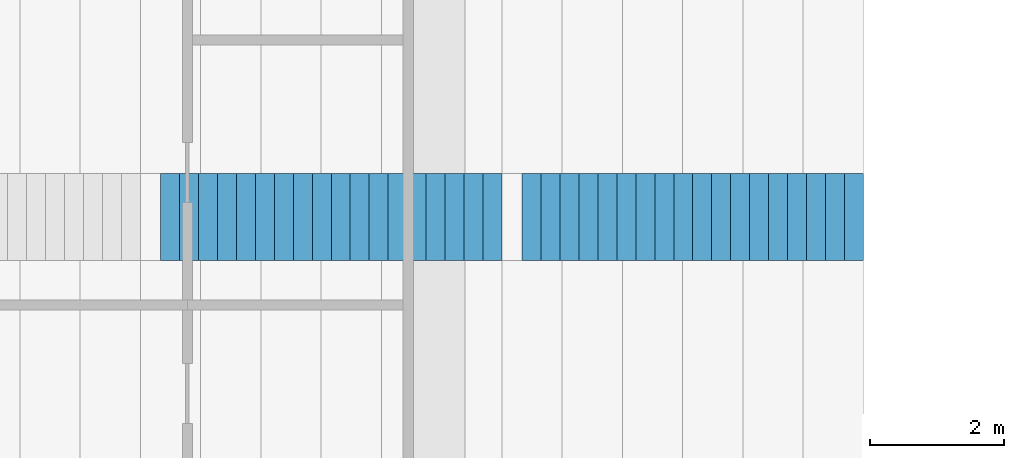
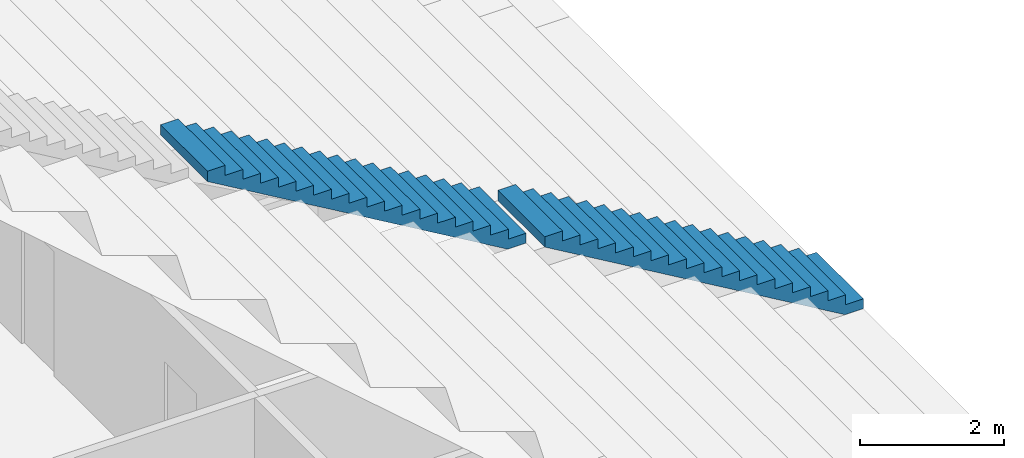
# One storey, part 168 of 249: 2 stair flights, 1 element without a shape of its own.
"""IFC4 building model written with IfcOpenShell, lengths in metres."""

from ifc_helpers import new_model, si_unit, direction, frame, origin, place, context, subcontext, project, spatial, faceted_brep, material, type_object, element, aggregate, save


model = new_model("IFC4")

# Units and contexts
model_context = context("Model", 3, precision=1e-05, world=origin(), true_north=direction((0.0, 1.0)))
body_context = subcontext(model_context, "Body", "Model", "MODEL_VIEW")
ifc_project = project(units=[si_unit("LENGTHUNIT", "METRE"), si_unit("AREAUNIT", "SQUARE_METRE"), si_unit("VOLUMEUNIT", "CUBIC_METRE"), si_unit("PLANEANGLEUNIT", "RADIAN"), si_unit("MASSUNIT", "GRAM", prefix="KILO")], contexts=[model_context])

# Site, building, storey
site_placement = place(None, origin())
site = spatial("IfcSite", under=ifc_project, at=site_placement, CompositionType="ELEMENT")
building_placement = place(site_placement, origin())
building = spatial("IfcBuilding", under=site, at=building_placement, Name="Ogive Plaza Stadium", CompositionType="ELEMENT")
storey_placement = place(building_placement, frame((0.0, 0.0, 13.5)))
storey = spatial("IfcBuildingStorey", under=building, at=storey_placement, Name="L03", CompositionType="ELEMENT", Elevation=13.5)

# Stair, stair flights
ifc_material_1 = material(Name="Concrete C40/50", Category="concrete")
stair_type = type_object("IfcStairType", Name="Aisle stair", PredefinedType="STRAIGHT_RUN_STAIR", material=ifc_material_1)
stair_placement = place(storey_placement, origin())
stair = element("IfcStair", 1, at=stair_placement, inside=storey, type_object=stair_type, Name="Aisle stair SA25U", PredefinedType="STRAIGHT_RUN_STAIR")
ifc_material_2 = material(Name="Concrete C40/50", Category="concrete")
stair_flight_type = type_object("IfcStairFlightType", Name="Aisle stair flight", PredefinedType="STRAIGHT", material=ifc_material_2)
stair_flight_1_placement = place(storey_placement, frame((-55.5, 15.0, 0.5), z_axis=(0.0, 0.0, 1.0), x_axis=(-1.0, 0.0, 0.0)))
stair_flight_1 = element("IfcStairFlight", 2, at=stair_flight_1_placement, type_object=stair_flight_type, Name="SA25U flight 1", NumberOfRisers=18, NumberOfTreads=17, PredefinedType="STRAIGHT", RiserHeight=0.166666667, TreadLength=0.283333333, context=body_context, shape_type="Brep", body=[
    faceted_brep([(0.295654296875, -0.64990234375, 0.0), (5.10009765625, -0.64990234375, 2.826171875), (5.10009765625, -0.64990234375, 3.0), (4.816650390625, -0.64990234375, 3.0), (4.816650390625, -0.64990234375, 2.833251953125), (4.533447265625, -0.64990234375, 2.833251953125), (4.533447265625, -0.64990234375, 2.666748046875), (4.25, -0.64990234375, 2.666748046875), (4.25, -0.64990234375, 2.5), (3.966552734375, -0.64990234375, 2.5), (3.966552734375, -0.64990234375, 2.333251953125), (3.683349609375, -0.64990234375, 2.333251953125), (3.683349609375, -0.64990234375, 2.166748046875), (3.39990234375, -0.64990234375, 2.166748046875), (3.39990234375, -0.64990234375, 2.0), (3.11669921875, -0.64990234375, 2.0), (3.11669921875, -0.64990234375, 1.833251953125), (2.833251953125, -0.64990234375, 1.833251953125), (2.833251953125, -0.64990234375, 1.666748046875), (2.550048828125, -0.64990234375, 1.666748046875), (2.550048828125, -0.64990234375, 1.5), (2.2666015625, -0.64990234375, 1.5), (2.2666015625, -0.64990234375, 1.333251953125), (1.9833984375, -0.64990234375, 1.333251953125), (1.9833984375, -0.64990234375, 1.166748046875), (1.699951171875, -0.64990234375, 1.166748046875), (1.699951171875, -0.64990234375, 1.0), (1.416748046875, -0.64990234375, 1.0), (1.416748046875, -0.64990234375, 0.833251953125), (1.13330078125, -0.64990234375, 0.833251953125), (1.13330078125, -0.64990234375, 0.666748046875), (0.85009765625, -0.64990234375, 0.666748046875), (0.85009765625, -0.64990234375, 0.5), (0.566650390625, -0.64990234375, 0.5), (0.566650390625, -0.64990234375, 0.333251953125), (0.283447265625, -0.64990234375, 0.333251953125), (0.283447265625, -0.64990234375, 0.166748046875), (0.0, -0.64990234375, 0.166748046875), (0.0, -0.64990234375, 0.0), (0.0, 0.64990234375, 0.0), (0.0, 0.64990234375, 0.166748046875), (0.283447265625, 0.64990234375, 0.166748046875), (0.283447265625, 0.64990234375, 0.333251953125), (0.566650390625, 0.64990234375, 0.333251953125), (0.566650390625, 0.64990234375, 0.5), (0.85009765625, 0.64990234375, 0.5), (0.85009765625, 0.64990234375, 0.666748046875), (1.13330078125, 0.64990234375, 0.666748046875), (1.13330078125, 0.64990234375, 0.833251953125), (1.416748046875, 0.64990234375, 0.833251953125), (1.416748046875, 0.64990234375, 1.0), (1.699951171875, 0.64990234375, 1.0), (1.699951171875, 0.64990234375, 1.166748046875), (1.9833984375, 0.64990234375, 1.166748046875), (1.9833984375, 0.64990234375, 1.333251953125), (2.2666015625, 0.64990234375, 1.333251953125), (2.2666015625, 0.64990234375, 1.5), (2.550048828125, 0.64990234375, 1.5), (2.550048828125, 0.64990234375, 1.666748046875), (2.833251953125, 0.64990234375, 1.666748046875), (2.833251953125, 0.64990234375, 1.833251953125), (3.11669921875, 0.64990234375, 1.833251953125), (3.11669921875, 0.64990234375, 2.0), (3.39990234375, 0.64990234375, 2.0), (3.39990234375, 0.64990234375, 2.166748046875), (3.683349609375, 0.64990234375, 2.166748046875), (3.683349609375, 0.64990234375, 2.333251953125), (3.966552734375, 0.64990234375, 2.333251953125), (3.966552734375, 0.64990234375, 2.5), (4.25, 0.64990234375, 2.5), (4.25, 0.64990234375, 2.666748046875), (4.533447265625, 0.64990234375, 2.666748046875), (4.533447265625, 0.64990234375, 2.833251953125), (4.816650390625, 0.64990234375, 2.833251953125), (4.816650390625, 0.64990234375, 3.0), (5.10009765625, 0.64990234375, 3.0), (5.10009765625, 0.64990234375, 2.826171875), (0.295654296875, 0.64990234375, 0.0), (0.295654296875, -0.324951171875, 0.0), (5.10009765625, -0.324951171875, 2.826171875), (0.295654296875, 0.0, 0.0), (5.10009765625, 0.0, 2.826171875), (0.295654296875, 0.324951171875, 0.0), (5.10009765625, 0.324951171875, 2.826171875), (5.10009765625, -0.324951171875, 3.0), (5.10009765625, 0.0, 3.0), (5.10009765625, 0.324951171875, 3.0), (4.816650390625, -0.324951171875, 3.0), (4.816650390625, 0.0, 3.0), (4.816650390625, 0.324951171875, 3.0), (4.816650390625, -0.324951171875, 2.833251953125), (4.816650390625, 0.0, 2.833251953125), (4.816650390625, 0.324951171875, 2.833251953125), (4.533447265625, -0.324951171875, 2.833251953125), (4.533447265625, 0.0, 2.833251953125), (4.533447265625, 0.324951171875, 2.833251953125), (4.533447265625, -0.324951171875, 2.666748046875), (4.533447265625, 0.0, 2.666748046875), (4.533447265625, 0.324951171875, 2.666748046875), (4.25, -0.324951171875, 2.666748046875), (4.25, 0.0, 2.666748046875), (4.25, 0.324951171875, 2.666748046875), (4.25, -0.324951171875, 2.5), (4.25, 0.0, 2.5), (4.25, 0.324951171875, 2.5), (3.966552734375, -0.324951171875, 2.5), (3.966552734375, 0.0, 2.5), (3.966552734375, 0.324951171875, 2.5), (3.966552734375, -0.324951171875, 2.333251953125), (3.966552734375, 0.0, 2.333251953125), (3.966552734375, 0.324951171875, 2.333251953125), (3.683349609375, -0.324951171875, 2.333251953125), (3.683349609375, 0.0, 2.333251953125), (3.683349609375, 0.324951171875, 2.333251953125), (3.683349609375, -0.324951171875, 2.166748046875), (3.683349609375, 0.0, 2.166748046875), (3.683349609375, 0.324951171875, 2.166748046875), (3.39990234375, -0.324951171875, 2.166748046875), (3.39990234375, 0.0, 2.166748046875), (3.39990234375, 0.324951171875, 2.166748046875), (3.39990234375, -0.324951171875, 2.0), (3.39990234375, 0.0, 2.0), (3.39990234375, 0.324951171875, 2.0), (3.11669921875, -0.324951171875, 2.0), (3.11669921875, 0.0, 2.0), (3.11669921875, 0.324951171875, 2.0), (3.11669921875, -0.324951171875, 1.833251953125), (3.11669921875, 0.0, 1.833251953125), (3.11669921875, 0.324951171875, 1.833251953125), (2.833251953125, -0.324951171875, 1.833251953125), (2.833251953125, 0.0, 1.833251953125), (2.833251953125, 0.324951171875, 1.833251953125), (2.833251953125, -0.324951171875, 1.666748046875), (2.833251953125, 0.0, 1.666748046875), (2.833251953125, 0.324951171875, 1.666748046875), (2.550048828125, -0.324951171875, 1.666748046875), (2.550048828125, 0.0, 1.666748046875), (2.550048828125, 0.324951171875, 1.666748046875), (2.550048828125, -0.324951171875, 1.5), (2.550048828125, 0.0, 1.5), (2.550048828125, 0.324951171875, 1.5), (2.2666015625, -0.324951171875, 1.5), (2.2666015625, 0.0, 1.5), (2.2666015625, 0.324951171875, 1.5), (2.2666015625, -0.324951171875, 1.333251953125), (2.2666015625, 0.0, 1.333251953125), (2.2666015625, 0.324951171875, 1.333251953125), (1.9833984375, -0.324951171875, 1.333251953125), (1.9833984375, 0.0, 1.333251953125), (1.9833984375, 0.324951171875, 1.333251953125), (1.9833984375, -0.324951171875, 1.166748046875), (1.9833984375, 0.0, 1.166748046875), (1.9833984375, 0.324951171875, 1.166748046875), (1.699951171875, -0.324951171875, 1.166748046875), (1.699951171875, 0.0, 1.166748046875), (1.699951171875, 0.324951171875, 1.166748046875), (1.699951171875, -0.324951171875, 1.0), (1.699951171875, 0.0, 1.0), (1.699951171875, 0.324951171875, 1.0), (1.416748046875, -0.324951171875, 1.0), (1.416748046875, 0.0, 1.0), (1.416748046875, 0.324951171875, 1.0), (1.416748046875, -0.324951171875, 0.833251953125), (1.416748046875, 0.0, 0.833251953125), (1.416748046875, 0.324951171875, 0.833251953125), (1.13330078125, -0.324951171875, 0.833251953125), (1.13330078125, 0.0, 0.833251953125), (1.13330078125, 0.324951171875, 0.833251953125), (1.13330078125, -0.324951171875, 0.666748046875), (1.13330078125, 0.0, 0.666748046875), (1.13330078125, 0.324951171875, 0.666748046875), (0.85009765625, -0.324951171875, 0.666748046875), (0.85009765625, 0.0, 0.666748046875), (0.85009765625, 0.324951171875, 0.666748046875), (0.85009765625, -0.324951171875, 0.5), (0.85009765625, 0.0, 0.5), (0.85009765625, 0.324951171875, 0.5), (0.566650390625, -0.324951171875, 0.5), (0.566650390625, 0.0, 0.5), (0.566650390625, 0.324951171875, 0.5), (0.566650390625, -0.324951171875, 0.333251953125), (0.566650390625, 0.0, 0.333251953125), (0.566650390625, 0.324951171875, 0.333251953125), (0.283447265625, -0.324951171875, 0.333251953125), (0.283447265625, 0.0, 0.333251953125), (0.283447265625, 0.324951171875, 0.333251953125), (0.283447265625, -0.324951171875, 0.166748046875), (0.283447265625, 0.0, 0.166748046875), (0.283447265625, 0.324951171875, 0.166748046875), (0.0, -0.324951171875, 0.166748046875), (0.0, 0.0, 0.166748046875), (0.0, 0.324951171875, 0.166748046875), (0.0, -0.324951171875, 0.0), (0.0, 0.0, 0.0), (0.0, 0.324951171875, 0.0)], [[[0, 1, 2, 3, 4, 5, 6, 7, 8, 9, 10, 11, 12, 13, 14, 15, 16, 17, 18, 19, 20, 21, 22, 23, 24, 25, 26, 27, 28, 29, 30, 31, 32, 33, 34, 35, 36, 37, 38]], [[39, 40, 41, 42, 43, 44, 45, 46, 47, 48, 49, 50, 51, 52, 53, 54, 55, 56, 57, 58, 59, 60, 61, 62, 63, 64, 65, 66, 67, 68, 69, 70, 71, 72, 73, 74, 75, 76, 77]], [[0, 78, 79, 1]], [[78, 80, 81, 79]], [[80, 82, 83, 81]], [[82, 77, 76, 83]], [[1, 79, 84, 2]], [[79, 81, 85, 84]], [[81, 83, 86, 85]], [[83, 76, 75, 86]], [[2, 84, 87, 3]], [[84, 85, 88, 87]], [[85, 86, 89, 88]], [[86, 75, 74, 89]], [[3, 87, 90, 4]], [[87, 88, 91, 90]], [[88, 89, 92, 91]], [[89, 74, 73, 92]], [[4, 90, 93, 5]], [[90, 91, 94, 93]], [[91, 92, 95, 94]], [[92, 73, 72, 95]], [[5, 93, 96, 6]], [[93, 94, 97, 96]], [[94, 95, 98, 97]], [[95, 72, 71, 98]], [[6, 96, 99, 7]], [[96, 97, 100, 99]], [[97, 98, 101, 100]], [[98, 71, 70, 101]], [[7, 99, 102, 8]], [[99, 100, 103, 102]], [[100, 101, 104, 103]], [[101, 70, 69, 104]], [[8, 102, 105, 9]], [[102, 103, 106, 105]], [[103, 104, 107, 106]], [[104, 69, 68, 107]], [[9, 105, 108, 10]], [[105, 106, 109, 108]], [[106, 107, 110, 109]], [[107, 68, 67, 110]], [[10, 108, 111, 11]], [[108, 109, 112, 111]], [[109, 110, 113, 112]], [[110, 67, 66, 113]], [[11, 111, 114, 12]], [[111, 112, 115, 114]], [[112, 113, 116, 115]], [[113, 66, 65, 116]], [[12, 114, 117, 13]], [[114, 115, 118, 117]], [[115, 116, 119, 118]], [[116, 65, 64, 119]], [[13, 117, 120, 14]], [[117, 118, 121, 120]], [[118, 119, 122, 121]], [[119, 64, 63, 122]], [[14, 120, 123, 15]], [[120, 121, 124, 123]], [[121, 122, 125, 124]], [[122, 63, 62, 125]], [[15, 123, 126, 16]], [[123, 124, 127, 126]], [[124, 125, 128, 127]], [[125, 62, 61, 128]], [[16, 126, 129, 17]], [[126, 127, 130, 129]], [[127, 128, 131, 130]], [[128, 61, 60, 131]], [[17, 129, 132, 18]], [[129, 130, 133, 132]], [[130, 131, 134, 133]], [[131, 60, 59, 134]], [[18, 132, 135, 19]], [[132, 133, 136, 135]], [[133, 134, 137, 136]], [[134, 59, 58, 137]], [[19, 135, 138, 20]], [[135, 136, 139, 138]], [[136, 137, 140, 139]], [[137, 58, 57, 140]], [[20, 138, 141, 21]], [[138, 139, 142, 141]], [[139, 140, 143, 142]], [[140, 57, 56, 143]], [[21, 141, 144, 22]], [[141, 142, 145, 144]], [[142, 143, 146, 145]], [[143, 56, 55, 146]], [[22, 144, 147, 23]], [[144, 145, 148, 147]], [[145, 146, 149, 148]], [[146, 55, 54, 149]], [[23, 147, 150, 24]], [[147, 148, 151, 150]], [[148, 149, 152, 151]], [[149, 54, 53, 152]], [[24, 150, 153, 25]], [[150, 151, 154, 153]], [[151, 152, 155, 154]], [[152, 53, 52, 155]], [[25, 153, 156, 26]], [[153, 154, 157, 156]], [[154, 155, 158, 157]], [[155, 52, 51, 158]], [[26, 156, 159, 27]], [[156, 157, 160, 159]], [[157, 158, 161, 160]], [[158, 51, 50, 161]], [[27, 159, 162, 28]], [[159, 160, 163, 162]], [[160, 161, 164, 163]], [[161, 50, 49, 164]], [[28, 162, 165, 29]], [[162, 163, 166, 165]], [[163, 164, 167, 166]], [[164, 49, 48, 167]], [[29, 165, 168, 30]], [[165, 166, 169, 168]], [[166, 167, 170, 169]], [[167, 48, 47, 170]], [[30, 168, 171, 31]], [[168, 169, 172, 171]], [[169, 170, 173, 172]], [[170, 47, 46, 173]], [[31, 171, 174, 32]], [[171, 172, 175, 174]], [[172, 173, 176, 175]], [[173, 46, 45, 176]], [[32, 174, 177, 33]], [[174, 175, 178, 177]], [[175, 176, 179, 178]], [[176, 45, 44, 179]], [[33, 177, 180, 34]], [[177, 178, 181, 180]], [[178, 179, 182, 181]], [[179, 44, 43, 182]], [[34, 180, 183, 35]], [[180, 181, 184, 183]], [[181, 182, 185, 184]], [[182, 43, 42, 185]], [[35, 183, 186, 36]], [[183, 184, 187, 186]], [[184, 185, 188, 187]], [[185, 42, 41, 188]], [[36, 186, 189, 37]], [[186, 187, 190, 189]], [[187, 188, 191, 190]], [[188, 41, 40, 191]], [[37, 189, 192, 38]], [[189, 190, 193, 192]], [[190, 191, 194, 193]], [[191, 40, 39, 194]], [[38, 192, 78, 0]], [[192, 193, 80, 78]], [[193, 194, 82, 80]], [[194, 39, 77, 82]]]),
])
stair_flight_2_placement = place(storey_placement, frame((-60.89990234375, 15.0, 3.5), z_axis=(0.0, 0.0, 1.0), x_axis=(-1.0, 0.0, 0.0)))
stair_flight_2 = element("IfcStairFlight", 3, at=stair_flight_2_placement, type_object=stair_flight_type, Name="SA25U flight 2", NumberOfRisers=18, NumberOfTreads=17, PredefinedType="STRAIGHT", RiserHeight=0.166666667, TreadLength=0.283333333, context=body_context, shape_type="Brep", body=[
    faceted_brep([(0.295654296875, -0.64990234375, 0.0), (5.10009765625, -0.64990234375, 2.826171875), (5.10009765625, -0.64990234375, 3.0), (4.816650390625, -0.64990234375, 3.0), (4.816650390625, -0.64990234375, 2.833251953125), (4.533447265625, -0.64990234375, 2.833251953125), (4.533447265625, -0.64990234375, 2.666748046875), (4.25, -0.64990234375, 2.666748046875), (4.25, -0.64990234375, 2.5), (3.966552734375, -0.64990234375, 2.5), (3.966552734375, -0.64990234375, 2.333251953125), (3.683349609375, -0.64990234375, 2.333251953125), (3.683349609375, -0.64990234375, 2.166748046875), (3.39990234375, -0.64990234375, 2.166748046875), (3.39990234375, -0.64990234375, 2.0), (3.11669921875, -0.64990234375, 2.0), (3.11669921875, -0.64990234375, 1.833251953125), (2.833251953125, -0.64990234375, 1.833251953125), (2.833251953125, -0.64990234375, 1.666748046875), (2.550048828125, -0.64990234375, 1.666748046875), (2.550048828125, -0.64990234375, 1.5), (2.2666015625, -0.64990234375, 1.5), (2.2666015625, -0.64990234375, 1.333251953125), (1.9833984375, -0.64990234375, 1.333251953125), (1.9833984375, -0.64990234375, 1.166748046875), (1.699951171875, -0.64990234375, 1.166748046875), (1.699951171875, -0.64990234375, 1.0), (1.416748046875, -0.64990234375, 1.0), (1.416748046875, -0.64990234375, 0.833251953125), (1.13330078125, -0.64990234375, 0.833251953125), (1.13330078125, -0.64990234375, 0.666748046875), (0.85009765625, -0.64990234375, 0.666748046875), (0.85009765625, -0.64990234375, 0.5), (0.566650390625, -0.64990234375, 0.5), (0.566650390625, -0.64990234375, 0.333251953125), (0.283447265625, -0.64990234375, 0.333251953125), (0.283447265625, -0.64990234375, 0.166748046875), (0.0, -0.64990234375, 0.166748046875), (0.0, -0.64990234375, 0.0), (0.0, 0.64990234375, 0.0), (0.0, 0.64990234375, 0.166748046875), (0.283447265625, 0.64990234375, 0.166748046875), (0.283447265625, 0.64990234375, 0.333251953125), (0.566650390625, 0.64990234375, 0.333251953125), (0.566650390625, 0.64990234375, 0.5), (0.85009765625, 0.64990234375, 0.5), (0.85009765625, 0.64990234375, 0.666748046875), (1.13330078125, 0.64990234375, 0.666748046875), (1.13330078125, 0.64990234375, 0.833251953125), (1.416748046875, 0.64990234375, 0.833251953125), (1.416748046875, 0.64990234375, 1.0), (1.699951171875, 0.64990234375, 1.0), (1.699951171875, 0.64990234375, 1.166748046875), (1.9833984375, 0.64990234375, 1.166748046875), (1.9833984375, 0.64990234375, 1.333251953125), (2.2666015625, 0.64990234375, 1.333251953125), (2.2666015625, 0.64990234375, 1.5), (2.550048828125, 0.64990234375, 1.5), (2.550048828125, 0.64990234375, 1.666748046875), (2.833251953125, 0.64990234375, 1.666748046875), (2.833251953125, 0.64990234375, 1.833251953125), (3.11669921875, 0.64990234375, 1.833251953125), (3.11669921875, 0.64990234375, 2.0), (3.39990234375, 0.64990234375, 2.0), (3.39990234375, 0.64990234375, 2.166748046875), (3.683349609375, 0.64990234375, 2.166748046875), (3.683349609375, 0.64990234375, 2.333251953125), (3.966552734375, 0.64990234375, 2.333251953125), (3.966552734375, 0.64990234375, 2.5), (4.25, 0.64990234375, 2.5), (4.25, 0.64990234375, 2.666748046875), (4.533447265625, 0.64990234375, 2.666748046875), (4.533447265625, 0.64990234375, 2.833251953125), (4.816650390625, 0.64990234375, 2.833251953125), (4.816650390625, 0.64990234375, 3.0), (5.10009765625, 0.64990234375, 3.0), (5.10009765625, 0.64990234375, 2.826171875), (0.295654296875, 0.64990234375, 0.0), (0.295654296875, -0.324951171875, 0.0), (5.10009765625, -0.324951171875, 2.826171875), (0.295654296875, 0.0, 0.0), (5.10009765625, 0.0, 2.826171875), (0.295654296875, 0.324951171875, 0.0), (5.10009765625, 0.324951171875, 2.826171875), (5.10009765625, -0.324951171875, 3.0), (5.10009765625, 0.0, 3.0), (5.10009765625, 0.324951171875, 3.0), (4.816650390625, -0.324951171875, 3.0), (4.816650390625, 0.0, 3.0), (4.816650390625, 0.324951171875, 3.0), (4.816650390625, -0.324951171875, 2.833251953125), (4.816650390625, 0.0, 2.833251953125), (4.816650390625, 0.324951171875, 2.833251953125), (4.533447265625, -0.324951171875, 2.833251953125), (4.533447265625, 0.0, 2.833251953125), (4.533447265625, 0.324951171875, 2.833251953125), (4.533447265625, -0.324951171875, 2.666748046875), (4.533447265625, 0.0, 2.666748046875), (4.533447265625, 0.324951171875, 2.666748046875), (4.25, -0.324951171875, 2.666748046875), (4.25, 0.0, 2.666748046875), (4.25, 0.324951171875, 2.666748046875), (4.25, -0.324951171875, 2.5), (4.25, 0.0, 2.5), (4.25, 0.324951171875, 2.5), (3.966552734375, -0.324951171875, 2.5), (3.966552734375, 0.0, 2.5), (3.966552734375, 0.324951171875, 2.5), (3.966552734375, -0.324951171875, 2.333251953125), (3.966552734375, 0.0, 2.333251953125), (3.966552734375, 0.324951171875, 2.333251953125), (3.683349609375, -0.324951171875, 2.333251953125), (3.683349609375, 0.0, 2.333251953125), (3.683349609375, 0.324951171875, 2.333251953125), (3.683349609375, -0.324951171875, 2.166748046875), (3.683349609375, 0.0, 2.166748046875), (3.683349609375, 0.324951171875, 2.166748046875), (3.39990234375, -0.324951171875, 2.166748046875), (3.39990234375, 0.0, 2.166748046875), (3.39990234375, 0.324951171875, 2.166748046875), (3.39990234375, -0.324951171875, 2.0), (3.39990234375, 0.0, 2.0), (3.39990234375, 0.324951171875, 2.0), (3.11669921875, -0.324951171875, 2.0), (3.11669921875, 0.0, 2.0), (3.11669921875, 0.324951171875, 2.0), (3.11669921875, -0.324951171875, 1.833251953125), (3.11669921875, 0.0, 1.833251953125), (3.11669921875, 0.324951171875, 1.833251953125), (2.833251953125, -0.324951171875, 1.833251953125), (2.833251953125, 0.0, 1.833251953125), (2.833251953125, 0.324951171875, 1.833251953125), (2.833251953125, -0.324951171875, 1.666748046875), (2.833251953125, 0.0, 1.666748046875), (2.833251953125, 0.324951171875, 1.666748046875), (2.550048828125, -0.324951171875, 1.666748046875), (2.550048828125, 0.0, 1.666748046875), (2.550048828125, 0.324951171875, 1.666748046875), (2.550048828125, -0.324951171875, 1.5), (2.550048828125, 0.0, 1.5), (2.550048828125, 0.324951171875, 1.5), (2.2666015625, -0.324951171875, 1.5), (2.2666015625, 0.0, 1.5), (2.2666015625, 0.324951171875, 1.5), (2.2666015625, -0.324951171875, 1.333251953125), (2.2666015625, 0.0, 1.333251953125), (2.2666015625, 0.324951171875, 1.333251953125), (1.9833984375, -0.324951171875, 1.333251953125), (1.9833984375, 0.0, 1.333251953125), (1.9833984375, 0.324951171875, 1.333251953125), (1.9833984375, -0.324951171875, 1.166748046875), (1.9833984375, 0.0, 1.166748046875), (1.9833984375, 0.324951171875, 1.166748046875), (1.699951171875, -0.324951171875, 1.166748046875), (1.699951171875, 0.0, 1.166748046875), (1.699951171875, 0.324951171875, 1.166748046875), (1.699951171875, -0.324951171875, 1.0), (1.699951171875, 0.0, 1.0), (1.699951171875, 0.324951171875, 1.0), (1.416748046875, -0.324951171875, 1.0), (1.416748046875, 0.0, 1.0), (1.416748046875, 0.324951171875, 1.0), (1.416748046875, -0.324951171875, 0.833251953125), (1.416748046875, 0.0, 0.833251953125), (1.416748046875, 0.324951171875, 0.833251953125), (1.13330078125, -0.324951171875, 0.833251953125), (1.13330078125, 0.0, 0.833251953125), (1.13330078125, 0.324951171875, 0.833251953125), (1.13330078125, -0.324951171875, 0.666748046875), (1.13330078125, 0.0, 0.666748046875), (1.13330078125, 0.324951171875, 0.666748046875), (0.85009765625, -0.324951171875, 0.666748046875), (0.85009765625, 0.0, 0.666748046875), (0.85009765625, 0.324951171875, 0.666748046875), (0.85009765625, -0.324951171875, 0.5), (0.85009765625, 0.0, 0.5), (0.85009765625, 0.324951171875, 0.5), (0.566650390625, -0.324951171875, 0.5), (0.566650390625, 0.0, 0.5), (0.566650390625, 0.324951171875, 0.5), (0.566650390625, -0.324951171875, 0.333251953125), (0.566650390625, 0.0, 0.333251953125), (0.566650390625, 0.324951171875, 0.333251953125), (0.283447265625, -0.324951171875, 0.333251953125), (0.283447265625, 0.0, 0.333251953125), (0.283447265625, 0.324951171875, 0.333251953125), (0.283447265625, -0.324951171875, 0.166748046875), (0.283447265625, 0.0, 0.166748046875), (0.283447265625, 0.324951171875, 0.166748046875), (0.0, -0.324951171875, 0.166748046875), (0.0, 0.0, 0.166748046875), (0.0, 0.324951171875, 0.166748046875), (0.0, -0.324951171875, 0.0), (0.0, 0.0, 0.0), (0.0, 0.324951171875, 0.0)], [[[0, 1, 2, 3, 4, 5, 6, 7, 8, 9, 10, 11, 12, 13, 14, 15, 16, 17, 18, 19, 20, 21, 22, 23, 24, 25, 26, 27, 28, 29, 30, 31, 32, 33, 34, 35, 36, 37, 38]], [[39, 40, 41, 42, 43, 44, 45, 46, 47, 48, 49, 50, 51, 52, 53, 54, 55, 56, 57, 58, 59, 60, 61, 62, 63, 64, 65, 66, 67, 68, 69, 70, 71, 72, 73, 74, 75, 76, 77]], [[0, 78, 79, 1]], [[78, 80, 81, 79]], [[80, 82, 83, 81]], [[82, 77, 76, 83]], [[1, 79, 84, 2]], [[79, 81, 85, 84]], [[81, 83, 86, 85]], [[83, 76, 75, 86]], [[2, 84, 87, 3]], [[84, 85, 88, 87]], [[85, 86, 89, 88]], [[86, 75, 74, 89]], [[3, 87, 90, 4]], [[87, 88, 91, 90]], [[88, 89, 92, 91]], [[89, 74, 73, 92]], [[4, 90, 93, 5]], [[90, 91, 94, 93]], [[91, 92, 95, 94]], [[92, 73, 72, 95]], [[5, 93, 96, 6]], [[93, 94, 97, 96]], [[94, 95, 98, 97]], [[95, 72, 71, 98]], [[6, 96, 99, 7]], [[96, 97, 100, 99]], [[97, 98, 101, 100]], [[98, 71, 70, 101]], [[7, 99, 102, 8]], [[99, 100, 103, 102]], [[100, 101, 104, 103]], [[101, 70, 69, 104]], [[8, 102, 105, 9]], [[102, 103, 106, 105]], [[103, 104, 107, 106]], [[104, 69, 68, 107]], [[9, 105, 108, 10]], [[105, 106, 109, 108]], [[106, 107, 110, 109]], [[107, 68, 67, 110]], [[10, 108, 111, 11]], [[108, 109, 112, 111]], [[109, 110, 113, 112]], [[110, 67, 66, 113]], [[11, 111, 114, 12]], [[111, 112, 115, 114]], [[112, 113, 116, 115]], [[113, 66, 65, 116]], [[12, 114, 117, 13]], [[114, 115, 118, 117]], [[115, 116, 119, 118]], [[116, 65, 64, 119]], [[13, 117, 120, 14]], [[117, 118, 121, 120]], [[118, 119, 122, 121]], [[119, 64, 63, 122]], [[14, 120, 123, 15]], [[120, 121, 124, 123]], [[121, 122, 125, 124]], [[122, 63, 62, 125]], [[15, 123, 126, 16]], [[123, 124, 127, 126]], [[124, 125, 128, 127]], [[125, 62, 61, 128]], [[16, 126, 129, 17]], [[126, 127, 130, 129]], [[127, 128, 131, 130]], [[128, 61, 60, 131]], [[17, 129, 132, 18]], [[129, 130, 133, 132]], [[130, 131, 134, 133]], [[131, 60, 59, 134]], [[18, 132, 135, 19]], [[132, 133, 136, 135]], [[133, 134, 137, 136]], [[134, 59, 58, 137]], [[19, 135, 138, 20]], [[135, 136, 139, 138]], [[136, 137, 140, 139]], [[137, 58, 57, 140]], [[20, 138, 141, 21]], [[138, 139, 142, 141]], [[139, 140, 143, 142]], [[140, 57, 56, 143]], [[21, 141, 144, 22]], [[141, 142, 145, 144]], [[142, 143, 146, 145]], [[143, 56, 55, 146]], [[22, 144, 147, 23]], [[144, 145, 148, 147]], [[145, 146, 149, 148]], [[146, 55, 54, 149]], [[23, 147, 150, 24]], [[147, 148, 151, 150]], [[148, 149, 152, 151]], [[149, 54, 53, 152]], [[24, 150, 153, 25]], [[150, 151, 154, 153]], [[151, 152, 155, 154]], [[152, 53, 52, 155]], [[25, 153, 156, 26]], [[153, 154, 157, 156]], [[154, 155, 158, 157]], [[155, 52, 51, 158]], [[26, 156, 159, 27]], [[156, 157, 160, 159]], [[157, 158, 161, 160]], [[158, 51, 50, 161]], [[27, 159, 162, 28]], [[159, 160, 163, 162]], [[160, 161, 164, 163]], [[161, 50, 49, 164]], [[28, 162, 165, 29]], [[162, 163, 166, 165]], [[163, 164, 167, 166]], [[164, 49, 48, 167]], [[29, 165, 168, 30]], [[165, 166, 169, 168]], [[166, 167, 170, 169]], [[167, 48, 47, 170]], [[30, 168, 171, 31]], [[168, 169, 172, 171]], [[169, 170, 173, 172]], [[170, 47, 46, 173]], [[31, 171, 174, 32]], [[171, 172, 175, 174]], [[172, 173, 176, 175]], [[173, 46, 45, 176]], [[32, 174, 177, 33]], [[174, 175, 178, 177]], [[175, 176, 179, 178]], [[176, 45, 44, 179]], [[33, 177, 180, 34]], [[177, 178, 181, 180]], [[178, 179, 182, 181]], [[179, 44, 43, 182]], [[34, 180, 183, 35]], [[180, 181, 184, 183]], [[181, 182, 185, 184]], [[182, 43, 42, 185]], [[35, 183, 186, 36]], [[183, 184, 187, 186]], [[184, 185, 188, 187]], [[185, 42, 41, 188]], [[36, 186, 189, 37]], [[186, 187, 190, 189]], [[187, 188, 191, 190]], [[188, 41, 40, 191]], [[37, 189, 192, 38]], [[189, 190, 193, 192]], [[190, 191, 194, 193]], [[191, 40, 39, 194]], [[38, 192, 78, 0]], [[192, 193, 80, 78]], [[193, 194, 82, 80]], [[194, 39, 77, 82]]]),
])
aggregate(stair, [stair_flight_1, stair_flight_2])

save(model, "model.ifc")
